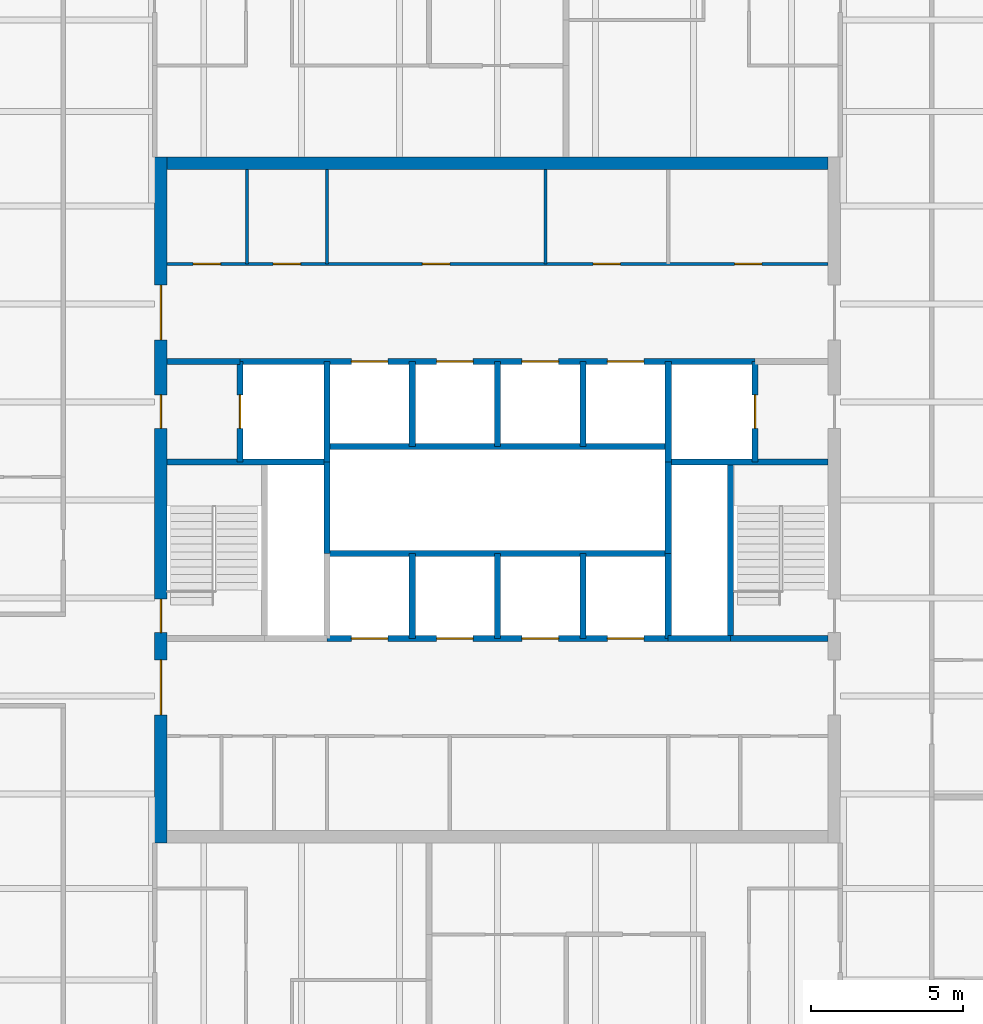
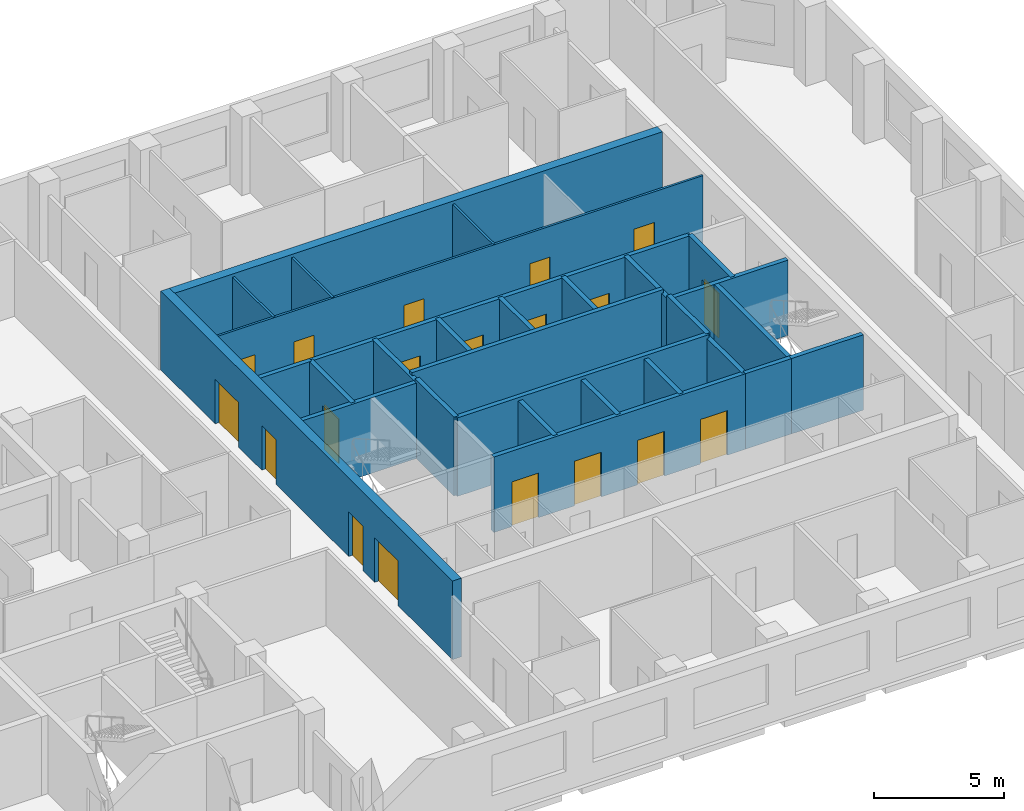
# One storey, part 6 of 10: 29 walls, 19 doors, 19 openings.
"""IFC4 building model written with IfcOpenShell, lengths in metres."""

import ifcopenshell
import ifcopenshell.guid

model = None  # the IFC model being written
_history = None  # IfcOwnerHistory: only IFC2X3 demands one
_inside = {}  # id of a spatial element -> (the spatial element, [elements in it])
_under = {}  # id of a project, library or spatial element -> (it, [spatial elements below it])
_declared = {}  # id of a project -> (the project, [libraries it declares])
_typed = {}  # id of a type object -> (the type object, [elements of that type])
_made_of = {}  # id of a material, layer set ... -> (it, [elements and type objects made of it])


def new_model(schema):
    """Start an empty IFC model of exactly this schema.

    Asked for "IFC4X3", IfcOpenShell would pick the latest addendum, in which some entities
    have other attributes; the version numbers below select the first issue.
    IFC2X3 requires an IfcOwnerHistory on every rooted entity: one is made here for all.
    """
    global model, _history
    if schema == "IFC4X3":
        model = ifcopenshell.file(schema_version=(4, 3, 0, 0))
    else:
        model = ifcopenshell.file(schema=schema)
    _inside.clear()
    _under.clear()
    _declared.clear()
    _typed.clear()
    _made_of.clear()
    _history = None
    if model.schema == "IFC2X3":
        org = make("IfcOrganization", Name="unknown")
        user = make(
            "IfcPersonAndOrganization",
            ThePerson=make("IfcPerson", FamilyName="unknown"),
            TheOrganization=org,
        )
        app = make(
            "IfcApplication",
            ApplicationDeveloper=org,
            Version="unknown",
            ApplicationFullName="unknown",
            ApplicationIdentifier="unknown",
        )
        _history = make(
            "IfcOwnerHistory",
            OwningUser=user,
            OwningApplication=app,
            ChangeAction="ADDED",
            CreationDate=0,
        )
    return model


def make(cls, **values):
    """One entity of the class cls with the attributes given. An attribute that is None is left unset."""
    return model.create_entity(
        cls, **{name: value for name, value in values.items() if value is not None}
    )


def rooted(cls, **values):
    """An entity with a GlobalId (a new one), such as an element, a storey or a relation."""
    return make(cls, GlobalId=ifcopenshell.guid.new(), OwnerHistory=_history, **values)


def si_unit(unit_type, name, prefix=None):
    """IfcSIUnit, for example si_unit("LENGTHUNIT", "METRE", prefix="MILLI")."""
    return make("IfcSIUnit", UnitType=unit_type, Prefix=prefix, Name=name)


def assignment(units):
    """IfcUnitAssignment: the units of a project."""
    return None if units is None else make("IfcUnitAssignment", Units=units)


def point(xyz):
    """IfcCartesianPoint."""
    return None if xyz is None else make("IfcCartesianPoint", Coordinates=xyz)


def direction(xyz):
    """IfcDirection."""
    return None if xyz is None else make("IfcDirection", DirectionRatios=xyz)


def frame(location, z_axis=None, x_axis=None):
    """IfcAxis2Placement3D, a coordinate frame: its origin and axes. An axis left out is left unset."""
    return make(
        "IfcAxis2Placement3D",
        Location=point(location),
        Axis=direction(z_axis),
        RefDirection=direction(x_axis),
    )


def frame_2d(location, x_axis=None):
    """IfcAxis2Placement2D, a coordinate frame in the plane: its origin and x axis."""
    return make(
        "IfcAxis2Placement2D", Location=point(location), RefDirection=direction(x_axis)
    )


def origin():
    """The frame at (0, 0, 0) with its axes left unset."""
    return frame((0.0, 0.0, 0.0))


def place(relative_to, where):
    """IfcLocalPlacement: puts the frame where relative to a parent placement (None: the world)."""
    return make(
        "IfcLocalPlacement", PlacementRelTo=relative_to, RelativePlacement=where
    )


def context(
    kind, dimensions, precision=None, world=None, true_north=None, identifier=None
):
    """IfcGeometricRepresentationContext, for example the 3D "Model" context."""
    return make(
        "IfcGeometricRepresentationContext",
        ContextIdentifier=identifier,
        ContextType=kind,
        CoordinateSpaceDimension=dimensions,
        Precision=precision,
        WorldCoordinateSystem=world,
        TrueNorth=true_north,
    )


def subcontext(parent, identifier, kind, view, scale=None):
    """IfcGeometricRepresentationSubContext, for example "Body" below "Model"."""
    return make(
        "IfcGeometricRepresentationSubContext",
        ContextIdentifier=identifier,
        ContextType=kind,
        ParentContext=parent,
        TargetScale=scale,
        TargetView=view,
    )


def project(units=None, contexts=None):
    """IfcProject with its units and contexts."""
    return rooted(
        "IfcProject",
        Name="project",
        RepresentationContexts=contexts,
        UnitsInContext=assignment(units),
    )


def spatial(cls, under=None, at=None, **own):
    """A site, building, storey or space (cls), placed at a placement, below another one or the project."""
    s = rooted(cls, ObjectPlacement=at, **own)
    if under is not None:
        _under.setdefault(under.id(), (under, []))[1].append(s)
    return s


def profile(cls, at=None, kind="AREA", **sizes):
    """A parametric profile (cls). Its sizes go by their IFC names, for example OverallWidth=200.0."""
    return make(cls, ProfileType=kind, Position=at, **sizes)


def rectangle(**sizes):
    """IfcRectangleProfileDef."""
    return profile("IfcRectangleProfileDef", **sizes)


def extrude(swept, where, along, depth):
    """IfcExtrudedAreaSolid: the profile swept, set in the frame where, extruded along a direction by depth."""
    return make(
        "IfcExtrudedAreaSolid",
        SweptArea=swept,
        Position=where,
        ExtrudedDirection=direction(along),
        Depth=depth,
    )


def shape(context_of_items, identifier, shape_type, items):
    """IfcShapeRepresentation: the items that make up one representation, for example the "Body"."""
    return make(
        "IfcShapeRepresentation",
        ContextOfItems=context_of_items,
        RepresentationIdentifier=identifier,
        RepresentationType=shape_type,
        Items=items,
    )


def material(Name=None, Category=None):
    """IfcMaterial."""
    return make("IfcMaterial", Name=Name, Category=Category)


def layer(
    of_material, thickness, ventilated=None, Name=None, Category=None, Priority=None
):
    """IfcMaterialLayer: one layer of a wall or slab, of a material (None: an air gap)."""
    return make(
        "IfcMaterialLayer",
        Material=of_material,
        LayerThickness=thickness,
        IsVentilated=ventilated,
        Name=Name,
        Category=Category,
        Priority=Priority,
    )


def layer_set(layers, Name=None):
    """IfcMaterialLayerSet."""
    return make("IfcMaterialLayerSet", MaterialLayers=layers, LayerSetName=Name)


def made_of(thing, what):
    """Note that an element or type object is made of a material, layer set ...; save() writes the relation."""
    if what is not None:
        _made_of.setdefault(what.id(), (what, []))[1].append(thing)
    return thing


def type_object(cls, material=None, **own):
    """A type object (cls), such as IfcWallType, which elements share."""
    return made_of(rooted(cls, **own), material)


def element(
    cls,
    number,
    at=None,
    inside=None,
    cuts=None,
    type_object=None,
    material=None,
    context=None,
    identifier="Body",
    shape_type=None,
    held_by="IfcProductDefinitionShape",
    body=None,
    shapes=None,
    **own,
):
    """One element of the class cls, such as IfcWall. Its Tag is "e" and its number.

    at: its placement. inside: the storey or other place that contains it. cuts: it is an
    opening in that element (IfcRelVoidsElement). A single representation is given by context,
    identifier, shape_type and body (its items); several are given by shapes. held_by: the class
    of the entity that holds the representations. save() writes the other relations.
    """
    e = rooted(cls, Tag="e%d" % number, ObjectPlacement=at, **own)
    if body is not None:
        shapes = [shape(context, identifier, shape_type, body)]
    if shapes is not None:
        e.Representation = make(held_by, Representations=shapes)
    if inside is not None:
        _inside.setdefault(inside.id(), (inside, []))[1].append(e)
    if cuts is not None:
        rooted(
            "IfcRelVoidsElement", RelatingBuildingElement=cuts, RelatedOpeningElement=e
        )
    if type_object is not None:
        _typed.setdefault(type_object.id(), (type_object, []))[1].append(e)
    return made_of(e, material)


def fill(opening, filler):
    """IfcRelFillsElement: the door or window that sits in an opening."""
    return rooted(
        "IfcRelFillsElement",
        RelatingOpeningElement=opening,
        RelatedBuildingElement=filler,
    )


def aggregate(whole, parts):
    """IfcRelAggregates: a whole, such as a stair, and the parts it consists of."""
    return rooted("IfcRelAggregates", RelatingObject=whole, RelatedObjects=parts)


def save(model, path):
    """Write the relations noted so far, then the file.

    IfcRelAggregates (storeys below a building ...), IfcRelContainedInSpatialStructure (elements
    in a storey), IfcRelDefinesByType, IfcRelAssociatesMaterial and IfcRelDeclares: one each for
    every whole, place, type object, material and project.
    """
    for whole, parts in _under.values():
        aggregate(whole, parts)
    for where, things in _inside.values():
        rooted(
            "IfcRelContainedInSpatialStructure",
            RelatedElements=things,
            RelatingStructure=where,
        )
    for kind, things in _typed.values():
        rooted("IfcRelDefinesByType", RelatedObjects=things, RelatingType=kind)
    for what, things in _made_of.values():
        rooted("IfcRelAssociatesMaterial", RelatedObjects=things, RelatingMaterial=what)
    for by, libraries in _declared.values():
        rooted("IfcRelDeclares", RelatingContext=by, RelatedDefinitions=libraries)
    model.write(path)


model = new_model("IFC4")

# Units and contexts
model_context = context("Model", 3, precision=1e-05, world=origin(), true_north=direction((0.0, 1.0)))
body_context = subcontext(model_context, "Body", "Model", "MODEL_VIEW")
ifc_project = project(units=[si_unit("LENGTHUNIT", "METRE"), si_unit("AREAUNIT", "SQUARE_METRE"), si_unit("VOLUMEUNIT", "CUBIC_METRE"), si_unit("PLANEANGLEUNIT", "RADIAN"), si_unit("MASSUNIT", "GRAM", prefix="KILO")], contexts=[model_context])

# Site, building, storey
site_placement = place(None, origin())
site = spatial("IfcSite", under=ifc_project, at=site_placement, CompositionType="ELEMENT")
building_placement = place(site_placement, origin())
building = spatial("IfcBuilding", under=site, at=building_placement, Name="Quoin Convention Tower", CompositionType="ELEMENT")
storey_placement = place(building_placement, frame((0.0, 0.0, 192.10009765625)))
storey = spatial("IfcBuildingStorey", under=building, at=storey_placement, Name="L50", CompositionType="ELEMENT", Elevation=192.10009765625)

# Wall, openings, doors
ifc_material_1 = material(Name="Plasterboard")
ifc_layer_1 = layer(ifc_material_1, 0.012451171875, Name="Finish")
ifc_material_2 = material(Name="Steel stud framing", Category="steel")
ifc_layer_2 = layer(ifc_material_2, 0.074951171875, Name="Structure")
ifc_layer_3 = layer(ifc_material_1, 0.012451171875, Name="Finish")
ifc_layer_set_1 = layer_set([ifc_layer_1, ifc_layer_2, ifc_layer_3], Name="Steel stud framing")
wall_type_1 = type_object("IfcWallType", Name="Core partition wall", PredefinedType="PARTITIONING", material=ifc_layer_set_1)
wall_1_placement = place(storey_placement, frame((45.39990234375, 68.5, 0.0), z_axis=(0.0, 0.0, 1.0), x_axis=(1.0, 0.0, 0.0)))
wall_1 = element("IfcWall", 1, at=wall_1_placement, inside=storey, type_object=wall_type_1, Name="cr-C1-L50-h19000_400", PredefinedType="PARTITIONING", context=body_context, shape_type="SweptSolid", body=[
    extrude(rectangle(XDim=21.7001953125, YDim=0.10009765625, at=frame_2d((10.85009765625, 0.0))), origin(), (0.0, 0.0, 1.0), 3.5498046875),
])
opening_1_placement = place(wall_1_placement, frame((18.625, 0.0, 0.0)))
opening_1 = element("IfcOpeningElement", 2, at=opening_1_placement, cuts=wall_1, Name="Opening DCV5-15", PredefinedType="OPENING", context=body_context, shape_type="SweptSolid", body=[
    extrude(rectangle(XDim=0.89990234375, YDim=2.10009765625, at=frame_2d((0.449951171875, 1.050048828125))), frame((0.0, 0.06005859375, 0.0), z_axis=(0.0, -1.0, 0.0), x_axis=(1.0, 0.0, 0.0)), (0.0, 0.0, 1.0), 0.1201171875),
])
opening_2_placement = place(wall_1_placement, frame((0.862548828125, 0.0, 0.0)))
opening_2 = element("IfcOpeningElement", 3, at=opening_2_placement, cuts=wall_1, Name="Opening DCV5-08", PredefinedType="OPENING", context=body_context, shape_type="SweptSolid", body=[
    extrude(rectangle(XDim=0.89990234375, YDim=2.10009765625, at=frame_2d((0.449951171875, 1.050048828125))), frame((0.0, 0.06005859375, 0.0), z_axis=(0.0, -1.0, 0.0), x_axis=(1.0, 0.0, 0.0)), (0.0, 0.0, 1.0), 0.1201171875),
])
opening_3_placement = place(wall_1_placement, frame((3.487548828125, 0.0, 0.0)))
opening_3 = element("IfcOpeningElement", 4, at=opening_3_placement, cuts=wall_1, Name="Opening DCV5-09", PredefinedType="OPENING", context=body_context, shape_type="SweptSolid", body=[
    extrude(rectangle(XDim=0.89990234375, YDim=2.10009765625, at=frame_2d((0.449951171875, 1.050048828125))), frame((0.0, 0.06005859375, 0.0), z_axis=(0.0, -1.0, 0.0), x_axis=(1.0, 0.0, 0.0)), (0.0, 0.0, 1.0), 0.1201171875),
])
opening_4_placement = place(wall_1_placement, frame((13.98388671875, 0.0, 0.0)))
opening_4 = element("IfcOpeningElement", 5, at=opening_4_placement, cuts=wall_1, Name="Opening DCV5-13", PredefinedType="OPENING", context=body_context, shape_type="SweptSolid", body=[
    extrude(rectangle(XDim=0.89990234375, YDim=2.10009765625, at=frame_2d((0.449951171875, 1.050048828125))), frame((0.0, 0.06005859375, 0.0), z_axis=(0.0, -1.0, 0.0), x_axis=(1.0, 0.0, 0.0)), (0.0, 0.0, 1.0), 0.1201171875),
])
opening_5_placement = place(wall_1_placement, frame((8.384033203125, 0.0, 0.0)))
opening_5 = element("IfcOpeningElement", 6, at=opening_5_placement, cuts=wall_1, Name="Opening DCV5-11", PredefinedType="OPENING", context=body_context, shape_type="SweptSolid", body=[
    extrude(rectangle(XDim=0.89990234375, YDim=2.10009765625, at=frame_2d((0.449951171875, 1.050048828125))), frame((0.0, 0.06005859375, 0.0), z_axis=(0.0, -1.0, 0.0), x_axis=(1.0, 0.0, 0.0)), (0.0, 0.0, 1.0), 0.1201171875),
])
ifc_material_3 = material(Name="Steel door leaf", Category="steel")
door_type_1 = type_object("IfcDoorType", Name="Core room door 900 x 2100", OperationType="SINGLE_SWING_LEFT", PredefinedType="DOOR", material=ifc_material_3)
door_1_placement = place(opening_1_placement, origin())
door_1 = element("IfcDoor", 7, at=door_1_placement, inside=storey, type_object=door_type_1, Name="cd-C1-L50-CNE0-lobB-CD5007", OperationType="SINGLE_SWING_LEFT", OverallHeight=2.10009765625, OverallWidth=0.89990234375, PredefinedType="DOOR", context=body_context, shape_type="SweptSolid", body=[
    extrude(rectangle(XDim=0.89990234375, YDim=2.10009765625, at=frame_2d((0.449951171875, 1.050048828125))), frame((0.0, 0.02490234375, 0.0), z_axis=(0.0, -1.0, 0.0), x_axis=(1.0, 0.0, 0.0)), (0.0, 0.0, 1.0), 0.050048828125),
])
fill(opening_1, door_1)
door_2_placement = place(opening_2_placement, origin())
door_2 = element("IfcDoor", 8, at=door_2_placement, inside=storey, type_object=door_type_1, Name="cd-C1-L50-CNW0-lobB-CD5008", OperationType="SINGLE_SWING_RIGHT", OverallHeight=2.10009765625, OverallWidth=0.89990234375, PredefinedType="DOOR", context=body_context, shape_type="SweptSolid", body=[
    extrude(rectangle(XDim=0.89990234375, YDim=2.10009765625, at=frame_2d((0.449951171875, 1.050048828125))), frame((0.0, 0.02490234375, 0.0), z_axis=(0.0, -1.0, 0.0), x_axis=(1.0, 0.0, 0.0)), (0.0, 0.0, 1.0), 0.050048828125),
])
fill(opening_2, door_2)
door_3_placement = place(opening_3_placement, origin())
door_3 = element("IfcDoor", 9, at=door_3_placement, inside=storey, type_object=door_type_1, Name="cd-C1-L50-CNW1-lobB-CD5009", OperationType="SINGLE_SWING_RIGHT", OverallHeight=2.10009765625, OverallWidth=0.89990234375, PredefinedType="DOOR", context=body_context, shape_type="SweptSolid", body=[
    extrude(rectangle(XDim=0.89990234375, YDim=2.10009765625, at=frame_2d((0.449951171875, 1.050048828125))), frame((0.0, 0.02490234375, 0.0), z_axis=(0.0, -1.0, 0.0), x_axis=(1.0, 0.0, 0.0)), (0.0, 0.0, 1.0), 0.050048828125),
])
fill(opening_3, door_3)
door_4_placement = place(opening_4_placement, origin())
door_4 = element("IfcDoor", 10, at=door_4_placement, inside=storey, type_object=door_type_1, Name="cd-C1-L50-F40-lobB-CD5017", OperationType="SINGLE_SWING_RIGHT", OverallHeight=2.10009765625, OverallWidth=0.89990234375, PredefinedType="DOOR", context=body_context, shape_type="SweptSolid", body=[
    extrude(rectangle(XDim=0.89990234375, YDim=2.10009765625, at=frame_2d((0.449951171875, 1.050048828125))), frame((0.0, 0.02490234375, 0.0), z_axis=(0.0, -1.0, 0.0), x_axis=(1.0, 0.0, 0.0)), (0.0, 0.0, 1.0), 0.050048828125),
])
fill(opening_4, door_4)
door_5_placement = place(opening_5_placement, origin())
door_5 = element("IfcDoor", 11, at=door_5_placement, inside=storey, type_object=door_type_1, Name="cd-C1-L50-F41-lobB-CD5018", OperationType="SINGLE_SWING_RIGHT", OverallHeight=2.10009765625, OverallWidth=0.89990234375, PredefinedType="DOOR", context=body_context, shape_type="SweptSolid", body=[
    extrude(rectangle(XDim=0.89990234375, YDim=2.10009765625, at=frame_2d((0.449951171875, 1.050048828125))), frame((0.0, 0.02490234375, 0.0), z_axis=(0.0, -1.0, 0.0), x_axis=(1.0, 0.0, 0.0)), (0.0, 0.0, 1.0), 0.050048828125),
])
fill(opening_5, door_5)

# Walls
for number, where, z_axis, x_axis, name in (
    (12, (48.02490234375, 68.5, 0.0), (0.0, 0.0, 1.0), (0.0, 1.0, 0.0), "cr-C1-L50-v3025_19000"),
    (13, (50.64990234375, 68.5, 0.0), (0.0, 0.0, 1.0), (0.0, 1.0, 0.0), "cr-C1-L50-v5650_19000"),
    (14, (57.818115234375, 68.5, 0.0), (0.0, 0.0, 1.0), (0.0, 1.0, 0.0), "cr-C1-L50-v12818_19000"),
):
    element("IfcWall", number, at=place(storey_placement, frame(where, z_axis=z_axis, x_axis=x_axis)), inside=storey, type_object=wall_type_1, Name=name, PredefinedType="PARTITIONING", context=body_context, shape_type="SweptSolid", body=[
        extrude(rectangle(XDim=3.10009765625, YDim=0.10009765625, at=frame_2d((1.550048828125, 0.0))), origin(), (0.0, 0.0, 1.0), 3.5498046875),
    ])
ifc_material_4 = material(Name="Concrete C50", Category="concrete")
ifc_layer_4 = layer(ifc_material_4, 0.199951171875)
ifc_layer_set_2 = layer_set([ifc_layer_4], Name="Concrete C50")
wall_type_2 = type_object("IfcWallType", Name="Core shaft wall", PredefinedType="SOLIDWALL", material=ifc_layer_set_2)
wall_2_placement = place(storey_placement, frame((61.85009765625, 56.199951171875, 0.0), z_axis=(0.0, 0.0, 1.0), x_axis=(1.0, 0.0, 0.0)))
element("IfcWall", 15, at=wall_2_placement, inside=storey, type_object=wall_type_2, Name="cr-C1-L50-h6700_16850", PredefinedType="SOLIDWALL", context=body_context, shape_type="SweptSolid", body=[
    extrude(rectangle(XDim=2.0498046875, YDim=0.199951171875, at=frame_2d((1.02490234375, 0.0))), origin(), (0.0, 0.0, 1.0), 3.5498046875),
])

# Wall, openings, doors
wall_3_placement = place(storey_placement, frame((50.64990234375, 56.199951171875, 0.0), z_axis=(0.0, 0.0, 1.0), x_axis=(1.0, 0.0, 0.0)))
wall_3 = element("IfcWall", 16, at=wall_3_placement, inside=storey, type_object=wall_type_2, Name="cr-C1-L50-h6700_5650", PredefinedType="SOLIDWALL", context=body_context, shape_type="SweptSolid", body=[
    extrude(rectangle(XDim=11.2001953125, YDim=0.199951171875, at=frame_2d((5.60009765625, 0.0))), origin(), (0.0, 0.0, 1.0), 3.5498046875),
])
opening_6_placement = place(wall_3_placement, frame((0.800048828125, 0.0, 0.0)))
opening_6 = element("IfcOpeningElement", 17, at=opening_6_placement, cuts=wall_3, Name="Opening LDH1", PredefinedType="OPENING", context=body_context, shape_type="SweptSolid", body=[
    extrude(rectangle(XDim=1.199951171875, YDim=2.10009765625, at=frame_2d((0.60009765625, 1.050048828125))), frame((0.0, 0.10986328125, 0.0), z_axis=(0.0, -1.0, 0.0), x_axis=(1.0, 0.0, 0.0)), (0.0, 0.0, 1.0), 0.219970703125),
])
opening_7_placement = place(wall_3_placement, frame((3.60009765625, 0.0, 0.0)))
opening_7 = element("IfcOpeningElement", 18, at=opening_7_placement, cuts=wall_3, Name="Opening LDH2", PredefinedType="OPENING", context=body_context, shape_type="SweptSolid", body=[
    extrude(rectangle(XDim=1.199951171875, YDim=2.10009765625, at=frame_2d((0.60009765625, 1.050048828125))), frame((0.0, 0.10986328125, 0.0), z_axis=(0.0, -1.0, 0.0), x_axis=(1.0, 0.0, 0.0)), (0.0, 0.0, 1.0), 0.219970703125),
])
opening_8_placement = place(wall_3_placement, frame((6.39990234375, 0.0, 0.0)))
opening_8 = element("IfcOpeningElement", 19, at=opening_8_placement, cuts=wall_3, Name="Opening LDH3", PredefinedType="OPENING", context=body_context, shape_type="SweptSolid", body=[
    extrude(rectangle(XDim=1.199951171875, YDim=2.10009765625, at=frame_2d((0.60009765625, 1.050048828125))), frame((0.0, 0.10986328125, 0.0), z_axis=(0.0, -1.0, 0.0), x_axis=(1.0, 0.0, 0.0)), (0.0, 0.0, 1.0), 0.219970703125),
])
opening_9_placement = place(wall_3_placement, frame((9.199951171875, 0.0, 0.0)))
opening_9 = element("IfcOpeningElement", 20, at=opening_9_placement, cuts=wall_3, Name="Opening LDH4", PredefinedType="OPENING", context=body_context, shape_type="SweptSolid", body=[
    extrude(rectangle(XDim=1.199951171875, YDim=2.10009765625, at=frame_2d((0.60009765625, 1.050048828125))), frame((0.0, 0.10986328125, 0.0), z_axis=(0.0, -1.0, 0.0), x_axis=(1.0, 0.0, 0.0)), (0.0, 0.0, 1.0), 0.219970703125),
])
door_type_2 = type_object("IfcDoorType", Name="Lift landing door 1200 x 2100", OperationType="DOUBLE_DOOR_SLIDING", PredefinedType="DOOR", material=ifc_material_3)
door_6_placement = place(opening_6_placement, origin())
door_6 = element("IfcDoor", 21, at=door_6_placement, inside=storey, type_object=door_type_2, Name="cd-C1-L50-R20-lobA-LDH1", OperationType="DOUBLE_DOOR_SLIDING", OverallHeight=2.10009765625, OverallWidth=1.199951171875, PredefinedType="DOOR", context=body_context, shape_type="SweptSolid", body=[
    extrude(rectangle(XDim=1.199951171875, YDim=2.10009765625, at=frame_2d((0.60009765625, 1.050048828125))), frame((0.0, 0.02490234375, 0.0), z_axis=(0.0, -1.0, 0.0), x_axis=(1.0, 0.0, 0.0)), (0.0, 0.0, 1.0), 0.050048828125),
])
fill(opening_6, door_6)
door_7_placement = place(opening_7_placement, origin())
door_7 = element("IfcDoor", 22, at=door_7_placement, inside=storey, type_object=door_type_2, Name="cd-C1-L50-R21-lobA-LDH2", OperationType="DOUBLE_DOOR_SLIDING", OverallHeight=2.10009765625, OverallWidth=1.199951171875, PredefinedType="DOOR", context=body_context, shape_type="SweptSolid", body=[
    extrude(rectangle(XDim=1.199951171875, YDim=2.10009765625, at=frame_2d((0.60009765625, 1.050048828125))), frame((0.0, 0.02490234375, 0.0), z_axis=(0.0, -1.0, 0.0), x_axis=(1.0, 0.0, 0.0)), (0.0, 0.0, 1.0), 0.050048828125),
])
fill(opening_7, door_7)
door_8_placement = place(opening_8_placement, origin())
door_8 = element("IfcDoor", 23, at=door_8_placement, inside=storey, type_object=door_type_2, Name="cd-C1-L50-R22-lobA-LDH3", OperationType="DOUBLE_DOOR_SLIDING", OverallHeight=2.10009765625, OverallWidth=1.199951171875, PredefinedType="DOOR", context=body_context, shape_type="SweptSolid", body=[
    extrude(rectangle(XDim=1.199951171875, YDim=2.10009765625, at=frame_2d((0.60009765625, 1.050048828125))), frame((0.0, 0.02490234375, 0.0), z_axis=(0.0, -1.0, 0.0), x_axis=(1.0, 0.0, 0.0)), (0.0, 0.0, 1.0), 0.050048828125),
])
fill(opening_8, door_8)
door_9_placement = place(opening_9_placement, origin())
door_9 = element("IfcDoor", 24, at=door_9_placement, inside=storey, type_object=door_type_2, Name="cd-C1-L50-R23-lobA-LDH4", OperationType="DOUBLE_DOOR_SLIDING", OverallHeight=2.10009765625, OverallWidth=1.199951171875, PredefinedType="DOOR", context=body_context, shape_type="SweptSolid", body=[
    extrude(rectangle(XDim=1.199951171875, YDim=2.10009765625, at=frame_2d((0.60009765625, 1.050048828125))), frame((0.0, 0.02490234375, 0.0), z_axis=(0.0, -1.0, 0.0), x_axis=(1.0, 0.0, 0.0)), (0.0, 0.0, 1.0), 0.050048828125),
])
fill(opening_9, door_9)

# Walls
wall_4_placement = place(storey_placement, frame((63.89990234375, 56.199951171875, 0.0), z_axis=(0.0, 0.0, 1.0), x_axis=(1.0, 0.0, 0.0)))
element("IfcWall", 25, at=wall_4_placement, inside=storey, type_object=wall_type_2, Name="cr-C1-L50-h6700_18900", PredefinedType="SOLIDWALL", context=body_context, shape_type="SweptSolid", body=[
    extrude(rectangle(XDim=3.2001953125, YDim=0.199951171875, at=frame_2d((1.60009765625, 0.0))), origin(), (0.0, 0.0, 1.0), 3.5498046875),
])
for number, where, z_axis, x_axis, name in (
    (26, (45.39990234375, 62.0, 0.0), (0.0, 0.0, 1.0), (1.0, 0.0, 0.0), "cr-C1-L50-h12500_400"),
    (27, (61.85009765625, 62.0, 0.0), (0.0, 0.0, 1.0), (1.0, 0.0, 0.0), "cr-C1-L50-h12500_16850"),
):
    element("IfcWall", number, at=place(storey_placement, frame(where, z_axis=z_axis, x_axis=x_axis)), inside=storey, type_object=wall_type_2, Name=name, PredefinedType="SOLIDWALL", context=body_context, shape_type="SweptSolid", body=[
        extrude(rectangle(XDim=5.25, YDim=0.199951171875, at=frame_2d((2.625, 0.0))), origin(), (0.0, 0.0, 1.0), 3.5498046875),
    ])
wall_5_placement = place(storey_placement, frame((45.39990234375, 65.300048828125, 0.0), z_axis=(0.0, 0.0, 1.0), x_axis=(1.0, 0.0, 0.0)))
element("IfcWall", 28, at=wall_5_placement, inside=storey, type_object=wall_type_2, Name="cr-C1-L50-h15800_400", PredefinedType="SOLIDWALL", context=body_context, shape_type="SweptSolid", body=[
    extrude(rectangle(XDim=2.400146484375, YDim=0.199951171875, at=frame_2d((1.2001953125, 0.0))), origin(), (0.0, 0.0, 1.0), 3.5498046875),
])

# Wall, openings, doors
wall_6_placement = place(storey_placement, frame((47.800048828125, 65.300048828125, 0.0), z_axis=(0.0, 0.0, 1.0), x_axis=(1.0, 0.0, 0.0)))
wall_6 = element("IfcWall", 29, at=wall_6_placement, inside=storey, type_object=wall_type_2, Name="cr-C1-L50-h15800_2800", PredefinedType="SOLIDWALL", context=body_context, shape_type="SweptSolid", body=[
    extrude(rectangle(XDim=16.89990234375, YDim=0.199951171875, at=frame_2d((8.449951171875, 0.0))), origin(), (0.0, 0.0, 1.0), 3.5498046875),
])
opening_10_placement = place(wall_6_placement, frame((3.64990234375, 0.0, 0.0)))
opening_10 = element("IfcOpeningElement", 30, at=opening_10_placement, cuts=wall_6, Name="Opening LDH5", PredefinedType="OPENING", context=body_context, shape_type="SweptSolid", body=[
    extrude(rectangle(XDim=1.199951171875, YDim=2.10009765625, at=frame_2d((0.60009765625, 1.050048828125))), frame((0.0, 0.10986328125, 0.0), z_axis=(0.0, -1.0, 0.0), x_axis=(1.0, 0.0, 0.0)), (0.0, 0.0, 1.0), 0.219970703125),
])
opening_11_placement = place(wall_6_placement, frame((6.449951171875, 0.0, 0.0)))
opening_11 = element("IfcOpeningElement", 31, at=opening_11_placement, cuts=wall_6, Name="Opening LDH6", PredefinedType="OPENING", context=body_context, shape_type="SweptSolid", body=[
    extrude(rectangle(XDim=1.199951171875, YDim=2.10009765625, at=frame_2d((0.60009765625, 1.050048828125))), frame((0.0, 0.10986328125, 0.0), z_axis=(0.0, -1.0, 0.0), x_axis=(1.0, 0.0, 0.0)), (0.0, 0.0, 1.0), 0.219970703125),
])
opening_12_placement = place(wall_6_placement, frame((9.25, 0.0, 0.0)))
opening_12 = element("IfcOpeningElement", 32, at=opening_12_placement, cuts=wall_6, Name="Opening LDH7", PredefinedType="OPENING", context=body_context, shape_type="SweptSolid", body=[
    extrude(rectangle(XDim=1.199951171875, YDim=2.10009765625, at=frame_2d((0.60009765625, 1.050048828125))), frame((0.0, 0.10986328125, 0.0), z_axis=(0.0, -1.0, 0.0), x_axis=(1.0, 0.0, 0.0)), (0.0, 0.0, 1.0), 0.219970703125),
])
opening_13_placement = place(wall_6_placement, frame((12.050048828125, 0.0, 0.0)))
opening_13 = element("IfcOpeningElement", 33, at=opening_13_placement, cuts=wall_6, Name="Opening LDH8", PredefinedType="OPENING", context=body_context, shape_type="SweptSolid", body=[
    extrude(rectangle(XDim=1.199951171875, YDim=2.10009765625, at=frame_2d((0.60009765625, 1.050048828125))), frame((0.0, 0.10986328125, 0.0), z_axis=(0.0, -1.0, 0.0), x_axis=(1.0, 0.0, 0.0)), (0.0, 0.0, 1.0), 0.219970703125),
])
door_10_placement = place(opening_10_placement, origin())
door_10 = element("IfcDoor", 34, at=door_10_placement, inside=storey, type_object=door_type_2, Name="cd-C1-L50-R30-lobB-LDH5", OperationType="DOUBLE_DOOR_SLIDING", OverallHeight=2.10009765625, OverallWidth=1.199951171875, PredefinedType="DOOR", context=body_context, shape_type="SweptSolid", body=[
    extrude(rectangle(XDim=1.199951171875, YDim=2.10009765625, at=frame_2d((0.60009765625, 1.050048828125))), frame((0.0, 0.02490234375, 0.0), z_axis=(0.0, -1.0, 0.0), x_axis=(1.0, 0.0, 0.0)), (0.0, 0.0, 1.0), 0.050048828125),
])
fill(opening_10, door_10)
door_11_placement = place(opening_11_placement, origin())
door_11 = element("IfcDoor", 35, at=door_11_placement, inside=storey, type_object=door_type_2, Name="cd-C1-L50-R31-lobB-LDH6", OperationType="DOUBLE_DOOR_SLIDING", OverallHeight=2.10009765625, OverallWidth=1.199951171875, PredefinedType="DOOR", context=body_context, shape_type="SweptSolid", body=[
    extrude(rectangle(XDim=1.199951171875, YDim=2.10009765625, at=frame_2d((0.60009765625, 1.050048828125))), frame((0.0, 0.02490234375, 0.0), z_axis=(0.0, -1.0, 0.0), x_axis=(1.0, 0.0, 0.0)), (0.0, 0.0, 1.0), 0.050048828125),
])
fill(opening_11, door_11)
door_12_placement = place(opening_12_placement, origin())
door_12 = element("IfcDoor", 36, at=door_12_placement, inside=storey, type_object=door_type_2, Name="cd-C1-L50-R32-lobB-LDH7", OperationType="DOUBLE_DOOR_SLIDING", OverallHeight=2.10009765625, OverallWidth=1.199951171875, PredefinedType="DOOR", context=body_context, shape_type="SweptSolid", body=[
    extrude(rectangle(XDim=1.199951171875, YDim=2.10009765625, at=frame_2d((0.60009765625, 1.050048828125))), frame((0.0, 0.02490234375, 0.0), z_axis=(0.0, -1.0, 0.0), x_axis=(1.0, 0.0, 0.0)), (0.0, 0.0, 1.0), 0.050048828125),
])
fill(opening_12, door_12)
door_13_placement = place(opening_13_placement, origin())
door_13 = element("IfcDoor", 37, at=door_13_placement, inside=storey, type_object=door_type_2, Name="cd-C1-L50-R33-lobB-LDH8", OperationType="DOUBLE_DOOR_SLIDING", OverallHeight=2.10009765625, OverallWidth=1.199951171875, PredefinedType="DOOR", context=body_context, shape_type="SweptSolid", body=[
    extrude(rectangle(XDim=1.199951171875, YDim=2.10009765625, at=frame_2d((0.60009765625, 1.050048828125))), frame((0.0, 0.02490234375, 0.0), z_axis=(0.0, -1.0, 0.0), x_axis=(1.0, 0.0, 0.0)), (0.0, 0.0, 1.0), 0.050048828125),
])
fill(opening_13, door_13)

# Wall, opening, door
wall_7_placement = place(storey_placement, frame((47.800048828125, 62.0, 0.0), z_axis=(0.0, 0.0, 1.0), x_axis=(0.0, 1.0, 0.0)))
wall_7 = element("IfcWall", 38, at=wall_7_placement, inside=storey, type_object=wall_type_2, Name="cr-C1-L50-v2800_12500", PredefinedType="SOLIDWALL", context=body_context, shape_type="SweptSolid", body=[
    extrude(rectangle(XDim=3.300048828125, YDim=0.199951171875, at=frame_2d((1.64990234375, 0.0))), origin(), (0.0, 0.0, 1.0), 3.5498046875),
])
opening_14_placement = place(wall_7_placement, frame((1.10009765625, 0.0, 0.0)))
opening_14 = element("IfcOpeningElement", 39, at=opening_14_placement, cuts=wall_7, Name="Opening LDFL1", PredefinedType="OPENING", context=body_context, shape_type="SweptSolid", body=[
    extrude(rectangle(XDim=1.10009765625, YDim=2.10009765625, at=frame_2d((0.550048828125, 1.050048828125))), frame((0.0, 0.10986328125, 0.0), z_axis=(0.0, -1.0, 0.0), x_axis=(1.0, 0.0, 0.0)), (0.0, 0.0, 1.0), 0.219970703125),
])
door_type_3 = type_object("IfcDoorType", Name="Lift landing door 1100 x 2100", OperationType="DOUBLE_DOOR_SLIDING", PredefinedType="DOOR", material=ifc_material_3)
door_14_placement = place(opening_14_placement, origin())
door_14 = element("IfcDoor", 40, at=door_14_placement, inside=storey, type_object=door_type_3, Name="cd-C1-L50-FLW-FFW-LDFL1", OperationType="DOUBLE_DOOR_SLIDING", OverallHeight=2.10009765625, OverallWidth=1.10009765625, PredefinedType="DOOR", context=body_context, shape_type="SweptSolid", body=[
    extrude(rectangle(XDim=1.10009765625, YDim=2.10009765625, at=frame_2d((0.550048828125, 1.050048828125))), frame((0.0, 0.02490234375, 0.0), z_axis=(0.0, -1.0, 0.0), x_axis=(1.0, 0.0, 0.0)), (0.0, 0.0, 1.0), 0.050048828125),
])
fill(opening_14, door_14)

# Walls
wall_8_placement = place(storey_placement, frame((50.64990234375, 62.0, 0.0), z_axis=(0.0, 0.0, 1.0), x_axis=(0.0, 1.0, 0.0)))
element("IfcWall", 41, at=wall_8_placement, inside=storey, type_object=wall_type_2, Name="cr-C1-L50-v5650_12500", PredefinedType="SOLIDWALL", context=body_context, shape_type="SweptSolid", body=[
    extrude(rectangle(XDim=3.300048828125, YDim=0.199951171875, at=frame_2d((1.64990234375, 0.0))), origin(), (0.0, 0.0, 1.0), 3.5498046875),
])
for number, where, z_axis, x_axis, name in (
    (42, (53.449951171875, 56.199951171875, 0.0), (0.0, 0.0, 1.0), (0.0, 1.0, 0.0), "cr-C1-L50-v8450_6700"),
    (43, (53.449951171875, 62.5, 0.0), (0.0, 0.0, 1.0), (0.0, 1.0, 0.0), "cr-C1-L50-v8450_13000"),
    (44, (56.25, 56.199951171875, 0.0), (0.0, 0.0, 1.0), (0.0, 1.0, 0.0), "cr-C1-L50-v11250_6700"),
    (45, (56.25, 62.5, 0.0), (0.0, 0.0, 1.0), (0.0, 1.0, 0.0), "cr-C1-L50-v11250_13000"),
    (46, (59.050048828125, 56.199951171875, 0.0), (0.0, 0.0, 1.0), (0.0, 1.0, 0.0), "cr-C1-L50-v14050_6700"),
    (47, (59.050048828125, 62.5, 0.0), (0.0, 0.0, 1.0), (0.0, 1.0, 0.0), "cr-C1-L50-v14050_13000"),
    (48, (61.85009765625, 56.199951171875, 0.0), (0.0, 0.0, 1.0), (0.0, 1.0, 0.0), "cr-C1-L50-v16850_6700"),
):
    element("IfcWall", number, at=place(storey_placement, frame(where, z_axis=z_axis, x_axis=x_axis)), inside=storey, type_object=wall_type_2, Name=name, PredefinedType="SOLIDWALL", context=body_context, shape_type="SweptSolid", body=[
        extrude(rectangle(XDim=2.800048828125, YDim=0.199951171875, at=frame_2d((1.39990234375, 0.0))), origin(), (0.0, 0.0, 1.0), 3.5498046875),
    ])
wall_9_placement = place(storey_placement, frame((61.85009765625, 62.0, 0.0), z_axis=(0.0, 0.0, 1.0), x_axis=(0.0, 1.0, 0.0)))
element("IfcWall", 49, at=wall_9_placement, inside=storey, type_object=wall_type_2, Name="cr-C1-L50-v16850_12500", PredefinedType="SOLIDWALL", context=body_context, shape_type="SweptSolid", body=[
    extrude(rectangle(XDim=3.300048828125, YDim=0.199951171875, at=frame_2d((1.64990234375, 0.0))), origin(), (0.0, 0.0, 1.0), 3.5498046875),
])
wall_10_placement = place(storey_placement, frame((63.89990234375, 56.199951171875, 0.0), z_axis=(0.0, 0.0, 1.0), x_axis=(0.0, 1.0, 0.0)))
element("IfcWall", 50, at=wall_10_placement, inside=storey, type_object=wall_type_2, Name="cr-C1-L50-v18900_6700", PredefinedType="SOLIDWALL", context=body_context, shape_type="SweptSolid", body=[
    extrude(rectangle(XDim=5.800048828125, YDim=0.199951171875, at=frame_2d((2.89990234375, 0.0))), origin(), (0.0, 0.0, 1.0), 3.5498046875),
])

# Wall, opening, door
wall_11_placement = place(storey_placement, frame((64.699951171875, 62.0, 0.0), z_axis=(0.0, 0.0, 1.0), x_axis=(0.0, 1.0, 0.0)))
wall_11 = element("IfcWall", 51, at=wall_11_placement, inside=storey, type_object=wall_type_2, Name="cr-C1-L50-v19700_12500", PredefinedType="SOLIDWALL", context=body_context, shape_type="SweptSolid", body=[
    extrude(rectangle(XDim=3.300048828125, YDim=0.199951171875, at=frame_2d((1.64990234375, 0.0))), origin(), (0.0, 0.0, 1.0), 3.5498046875),
])
opening_15_placement = place(wall_11_placement, frame((1.10009765625, 0.0, 0.0)))
opening_15 = element("IfcOpeningElement", 52, at=opening_15_placement, cuts=wall_11, Name="Opening LDFL2", PredefinedType="OPENING", context=body_context, shape_type="SweptSolid", body=[
    extrude(rectangle(XDim=1.10009765625, YDim=2.10009765625, at=frame_2d((0.550048828125, 1.050048828125))), frame((0.0, 0.10986328125, 0.0), z_axis=(0.0, -1.0, 0.0), x_axis=(1.0, 0.0, 0.0)), (0.0, 0.0, 1.0), 0.219970703125),
])
door_15_placement = place(opening_15_placement, origin())
door_15 = element("IfcDoor", 53, at=door_15_placement, inside=storey, type_object=door_type_3, Name="cd-C1-L50-FLE-FFE-LDFL2", OperationType="DOUBLE_DOOR_SLIDING", OverallHeight=2.10009765625, OverallWidth=1.10009765625, PredefinedType="DOOR", context=body_context, shape_type="SweptSolid", body=[
    extrude(rectangle(XDim=1.10009765625, YDim=2.10009765625, at=frame_2d((0.550048828125, 1.050048828125))), frame((0.0, 0.02490234375, 0.0), z_axis=(0.0, -1.0, 0.0), x_axis=(1.0, 0.0, 0.0)), (0.0, 0.0, 1.0), 0.050048828125),
])
fill(opening_15, door_15)

# Walls
ifc_layer_5 = layer(ifc_material_4, 0.199951171875)
ifc_layer_set_3 = layer_set([ifc_layer_5], Name="Concrete C50")
wall_type_3 = type_object("IfcWallType", Name="Core shaft wall to the floor level over", PredefinedType="SOLIDWALL", material=ifc_layer_set_3)
for number, where, z_axis, x_axis, name in (
    (54, (50.64990234375, 59.0, 0.0), (0.0, 0.0, 1.0), (1.0, 0.0, 0.0), "cr-C1-L50-h9500_5650"),
    (55, (50.64990234375, 62.5, 0.0), (0.0, 0.0, 1.0), (1.0, 0.0, 0.0), "cr-C1-L50-h13000_5650"),
):
    element("IfcWall", number, at=place(storey_placement, frame(where, z_axis=z_axis, x_axis=x_axis)), inside=storey, type_object=wall_type_3, Name=name, PredefinedType="SOLIDWALL", context=body_context, shape_type="SweptSolid", body=[
        extrude(rectangle(XDim=11.2001953125, YDim=0.199951171875, at=frame_2d((5.60009765625, 0.0))), origin(), (0.0, 0.0, 1.0), 3.699951171875),
    ])
for number, where, z_axis, x_axis, name in (
    (56, (50.64990234375, 59.0, 0.0), (0.0, 0.0, 1.0), (0.0, 1.0, 0.0), "cr-C1-L50-v5650_9500"),
    (57, (61.85009765625, 59.0, 0.0), (0.0, 0.0, 1.0), (0.0, 1.0, 0.0), "cr-C1-L50-v16850_9500"),
):
    element("IfcWall", number, at=place(storey_placement, frame(where, z_axis=z_axis, x_axis=x_axis)), inside=storey, type_object=wall_type_3, Name=name, PredefinedType="SOLIDWALL", context=body_context, shape_type="SweptSolid", body=[
        extrude(rectangle(XDim=3.0, YDim=0.199951171875, at=frame_2d((1.5, 0.0))), origin(), (0.0, 0.0, 1.0), 3.699951171875),
    ])
ifc_layer_6 = layer(ifc_material_4, 0.39990234375)
ifc_layer_set_4 = layer_set([ifc_layer_6], Name="Concrete C50")
wall_type_4 = type_object("IfcWallType", Name="RC CORE WALL 400 C50", PredefinedType="SHEAR", material=ifc_layer_set_4)
wall_12_placement = place(storey_placement, frame((45.39990234375, 71.800048828125, 0.0), z_axis=(0.0, 0.0, 1.0), x_axis=(1.0, 0.0, 0.0)))
element("IfcWall", 58, at=wall_12_placement, inside=storey, type_object=wall_type_4, Name="cwl-C1-L50-N", PredefinedType="SHEAR", context=body_context, shape_type="SweptSolid", body=[
    extrude(rectangle(XDim=21.7001953125, YDim=0.39990234375, at=frame_2d((10.85009765625, 0.0))), origin(), (0.0, 0.0, 1.0), 3.699951171875),
])

# Wall, openings, doors
wall_13_placement = place(storey_placement, frame((45.199951171875, 49.5, 0.0), z_axis=(0.0, 0.0, 1.0), x_axis=(0.0, 1.0, 0.0)))
wall_13 = element("IfcWall", 59, at=wall_13_placement, inside=storey, type_object=wall_type_4, Name="cwl-C1-L50-W", PredefinedType="SHEAR", context=body_context, shape_type="SweptSolid", body=[
    extrude(rectangle(XDim=22.5, YDim=0.39990234375, at=frame_2d((11.25, 0.0))), origin(), (0.0, 0.0, 1.0), 3.699951171875),
])
opening_16_placement = place(wall_13_placement, frame((4.199951171875, 0.0, 0.0)))
opening_16 = element("IfcOpeningElement", 60, at=opening_16_placement, cuts=wall_13, Name="Opening DCV5-50", PredefinedType="OPENING", context=body_context, shape_type="SweptSolid", body=[
    extrude(rectangle(XDim=1.800048828125, YDim=2.10009765625, at=frame_2d((0.89990234375, 1.050048828125))), frame((0.0, 0.2099609375, 0.0), z_axis=(0.0, -1.0, 0.0), x_axis=(1.0, 0.0, 0.0)), (0.0, 0.0, 1.0), 0.419921875),
])
opening_17_placement = place(wall_13_placement, frame((6.89990234375, 0.0, 0.0)))
opening_17 = element("IfcOpeningElement", 61, at=opening_17_placement, cuts=wall_13, Name="Opening SD1", PredefinedType="OPENING", context=body_context, shape_type="SweptSolid", body=[
    extrude(rectangle(XDim=1.10009765625, YDim=2.10009765625, at=frame_2d((0.550048828125, 1.050048828125))), frame((0.0, 0.2099609375, 0.0), z_axis=(0.0, -1.0, 0.0), x_axis=(1.0, 0.0, 0.0)), (0.0, 0.0, 1.0), 0.419921875),
])
opening_18_placement = place(wall_13_placement, frame((13.60009765625, 0.0, 0.0)))
opening_18 = element("IfcOpeningElement", 62, at=opening_18_placement, cuts=wall_13, Name="Opening DCV5-49", PredefinedType="OPENING", context=body_context, shape_type="SweptSolid", body=[
    extrude(rectangle(XDim=1.10009765625, YDim=2.10009765625, at=frame_2d((0.550048828125, 1.050048828125))), frame((0.0, 0.2099609375, 0.0), z_axis=(0.0, -1.0, 0.0), x_axis=(1.0, 0.0, 0.0)), (0.0, 0.0, 1.0), 0.419921875),
])
opening_19_placement = place(wall_13_placement, frame((16.5, 0.0, 0.0)))
opening_19 = element("IfcOpeningElement", 63, at=opening_19_placement, cuts=wall_13, Name="Opening DCV5-50", PredefinedType="OPENING", context=body_context, shape_type="SweptSolid", body=[
    extrude(rectangle(XDim=1.800048828125, YDim=2.10009765625, at=frame_2d((0.89990234375, 1.050048828125))), frame((0.0, 0.2099609375, 0.0), z_axis=(0.0, -1.0, 0.0), x_axis=(1.0, 0.0, 0.0)), (0.0, 0.0, 1.0), 0.419921875),
])
door_type_4 = type_object("IfcDoorType", Name="Fire-fighting lobby door 1100 x 2100", OperationType="SINGLE_SWING_LEFT", PredefinedType="DOOR", material=ifc_material_3)
door_16_placement = place(opening_18_placement, frame((1.10009765625, 0.0, 0.0), z_axis=(0.0, 0.0, 1.0), x_axis=(-1.0, 0.0, 0.0)))
door_16 = element("IfcDoor", 64, at=door_16_placement, inside=storey, type_object=door_type_4, Name="cd-C1-L50-FFW-W", OperationType="SINGLE_SWING_LEFT", OverallHeight=2.10009765625, OverallWidth=1.10009765625, PredefinedType="DOOR", context=body_context, shape_type="SweptSolid", body=[
    extrude(rectangle(XDim=1.10009765625, YDim=2.10009765625, at=frame_2d((0.550048828125, 1.050048828125))), frame((0.0, 0.02490234375, 0.0), z_axis=(0.0, -1.0, 0.0), x_axis=(1.0, 0.0, 0.0)), (0.0, 0.0, 1.0), 0.050048828125),
])
fill(opening_18, door_16)
door_type_5 = type_object("IfcDoorType", Name="Lift lobby door 1800 x 2100", OperationType="SINGLE_SWING_LEFT", PredefinedType="DOOR", material=ifc_material_3)
door_17_placement = place(opening_16_placement, frame((1.800048828125, 0.0, 0.0), z_axis=(0.0, 0.0, 1.0), x_axis=(-1.0, 0.0, 0.0)))
door_17 = element("IfcDoor", 65, at=door_17_placement, inside=storey, type_object=door_type_5, Name="cd-C1-L50-lobA-W", OperationType="SINGLE_SWING_LEFT", OverallHeight=2.10009765625, OverallWidth=1.800048828125, PredefinedType="DOOR", context=body_context, shape_type="SweptSolid", body=[
    extrude(rectangle(XDim=1.800048828125, YDim=2.10009765625, at=frame_2d((0.89990234375, 1.050048828125))), frame((0.0, 0.02490234375, 0.0), z_axis=(0.0, -1.0, 0.0), x_axis=(1.0, 0.0, 0.0)), (0.0, 0.0, 1.0), 0.050048828125),
])
fill(opening_16, door_17)
door_18_placement = place(opening_19_placement, frame((1.800048828125, 0.0, 0.0), z_axis=(0.0, 0.0, 1.0), x_axis=(-1.0, 0.0, 0.0)))
door_18 = element("IfcDoor", 66, at=door_18_placement, inside=storey, type_object=door_type_5, Name="cd-C1-L50-lobB-W", OperationType="SINGLE_SWING_LEFT", OverallHeight=2.10009765625, OverallWidth=1.800048828125, PredefinedType="DOOR", context=body_context, shape_type="SweptSolid", body=[
    extrude(rectangle(XDim=1.800048828125, YDim=2.10009765625, at=frame_2d((0.89990234375, 1.050048828125))), frame((0.0, 0.02490234375, 0.0), z_axis=(0.0, -1.0, 0.0), x_axis=(1.0, 0.0, 0.0)), (0.0, 0.0, 1.0), 0.050048828125),
])
fill(opening_19, door_18)
door_type_6 = type_object("IfcDoorType", Name="Stair door 1100 x 2100", OperationType="SINGLE_SWING_RIGHT", PredefinedType="DOOR", material=ifc_material_3)
door_19_placement = place(opening_17_placement, frame((1.10009765625, 0.0, 0.0), z_axis=(0.0, 0.0, 1.0), x_axis=(-1.0, 0.0, 0.0)))
door_19 = element("IfcDoor", 67, at=door_19_placement, inside=storey, type_object=door_type_6, Name="cd-C1-L50-STW-W", OperationType="SINGLE_SWING_RIGHT", OverallHeight=2.10009765625, OverallWidth=1.10009765625, PredefinedType="DOOR", context=body_context, shape_type="SweptSolid", body=[
    extrude(rectangle(XDim=1.10009765625, YDim=2.10009765625, at=frame_2d((0.550048828125, 1.050048828125))), frame((0.0, 0.02490234375, 0.0), z_axis=(0.0, -1.0, 0.0), x_axis=(1.0, 0.0, 0.0)), (0.0, 0.0, 1.0), 0.050048828125),
])
fill(opening_17, door_19)

save(model, "model.ifc")
